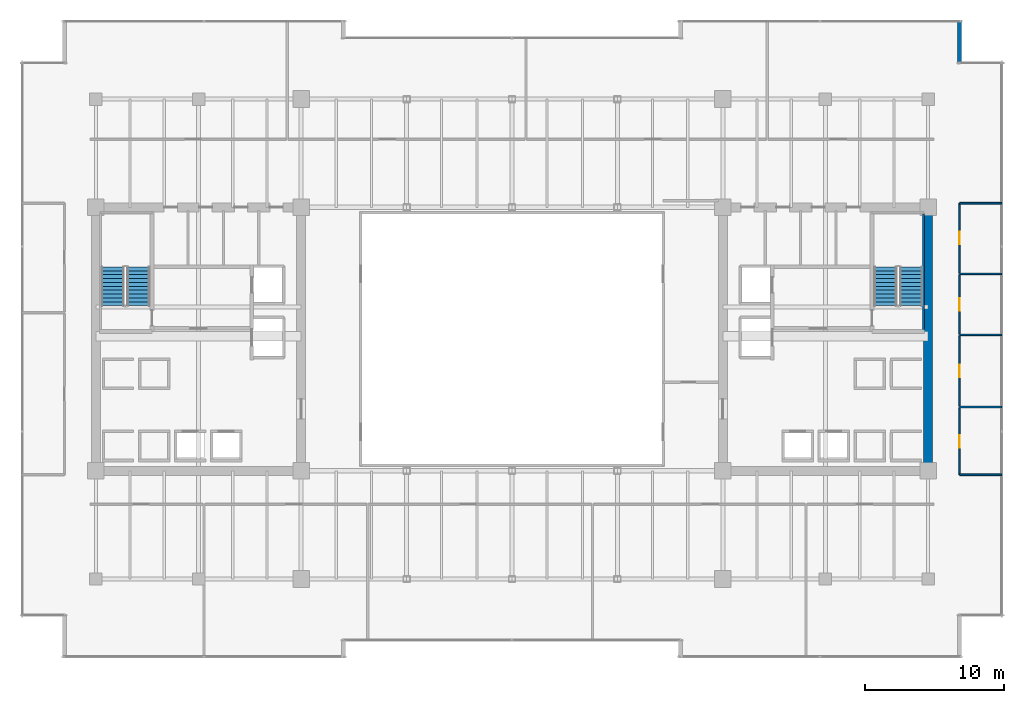
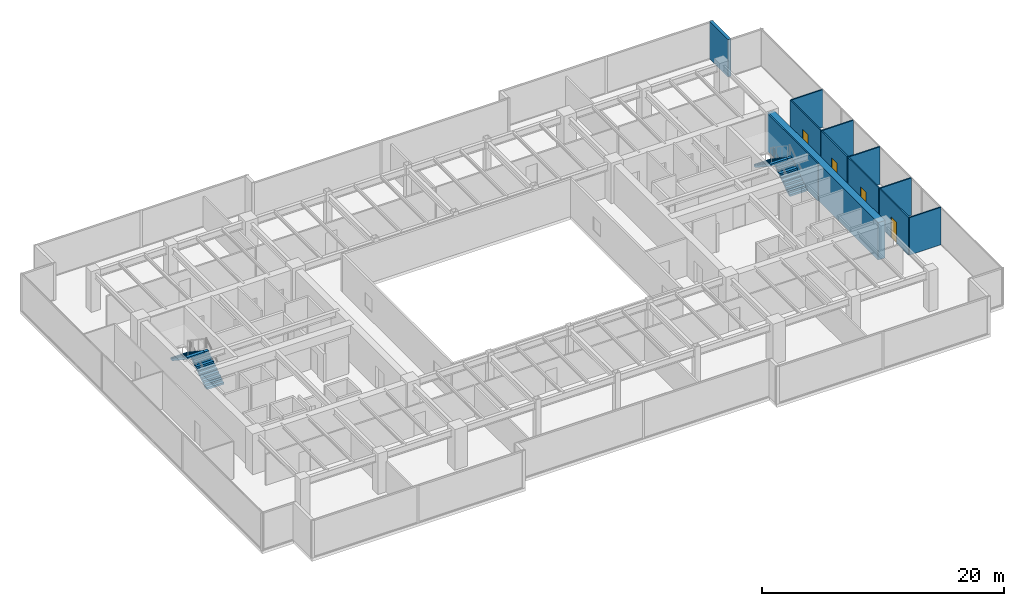
# One storey, part 28 of 30: 12 walls, 4 doors, 4 stair flights, 4 openings, 2 elements without a shape of their own.
"""IFC4 building model written with IfcOpenShell, lengths in metres."""

from ifc_helpers import new_model, si_unit, direction, frame, frame_2d, origin, place, context, subcontext, project, spatial, polyline, rectangle, outline, extrude, source, transform, mapped, material, layer, layer_set, type_object, type_shapes, element, fill, aggregate, save


model = new_model("IFC4")

# Units and contexts
model_context = context("Model", 3, precision=1e-05, world=origin(), true_north=direction((0.0, 1.0)))
body_context = subcontext(model_context, "Body", "Model", "MODEL_VIEW")
ifc_project = project(units=[si_unit("LENGTHUNIT", "METRE"), si_unit("AREAUNIT", "SQUARE_METRE"), si_unit("VOLUMEUNIT", "CUBIC_METRE"), si_unit("PLANEANGLEUNIT", "RADIAN"), si_unit("MASSUNIT", "GRAM", prefix="KILO")], contexts=[model_context])

# Site, building, storey
site_placement = place(None, origin())
site = spatial("IfcSite", under=ifc_project, at=site_placement, CompositionType="ELEMENT")
building_placement = place(site_placement, origin())
building = spatial("IfcBuilding", under=site, at=building_placement, Name="Haelvirn Gate Laboratories", CompositionType="ELEMENT")
storey_placement = place(building_placement, frame((0.0, 0.0, 105.10009765625)))
storey = spatial("IfcBuildingStorey", under=building, at=storey_placement, Name="L25", CompositionType="ELEMENT", Elevation=105.10009765625)

# Walls
ifc_material_1 = material(Name="Thermally-broken bronze aluminium rainscreen & mineral wool", Category="aluminium")
ifc_layer_1 = layer(ifc_material_1, 0.280029296875, Name="EW-TERR-280")
ifc_layer_set_1 = layer_set([ifc_layer_1], Name="Thermally-broken bronze aluminium rainscreen & mineral wool")
wall_type_1 = type_object("IfcWallType", Name="EW-TERR-280", PredefinedType="STANDARD", material=ifc_layer_set_1)
wall_1_placement = place(storey_placement, frame((69.659912109375, 44.2119140625, 0.0), z_axis=(0.0, 0.0, 1.0), x_axis=(0.0, 1.0, 0.0)))
element("IfcWall", 1, at=wall_1_placement, inside=storey, type_object=wall_type_1, Name="L25 Atrium Recess Bronze Return Wall 09", PredefinedType="STANDARD", context=body_context, shape_type="SweptSolid", body=[
    extrude(rectangle(XDim=3.088134765625, YDim=0.280029296875, at=frame_2d((1.5439453125, 0.0))), origin(), (0.0, 0.0, 1.0), 3.789794921875),
])
ifc_material_2 = material(Name="Lightweight acoustic gypsum board partition", Category="gypsum")
ifc_layer_2 = layer(ifc_material_2, 0.1201171875, Name="IW-PART-120")
ifc_layer_set_2 = layer_set([ifc_layer_2], Name="Lightweight acoustic gypsum board partition")
wall_type_2 = type_object("IfcWallType", Name="IW-PART-120", PredefinedType="PARTITIONING", material=ifc_layer_set_2)
for number, where, z_axis, x_axis, name in (
    (2, (69.669921875, 14.514892578125, 0.0), (0.0, 0.0, 1.0), (1.0, 0.0, 0.0), "L25 Interior Wall IW-L25-ECAP-S"),
    (3, (69.669921875, 34.0849609375, 0.0), (0.0, 0.0, 1.0), (1.0, 0.0, 0.0), "L25 Interior Wall IW-L25-ECAP-N"),
):
    element("IfcWall", number, at=place(storey_placement, frame(where, z_axis=z_axis, x_axis=x_axis)), inside=storey, type_object=wall_type_2, Name=name, PredefinedType="PARTITIONING", context=body_context, shape_type="SweptSolid", body=[
        extrude(rectangle(XDim=3.02001953125, YDim=0.1201171875, at=frame_2d((1.510009765625, 0.0))), origin(), (0.0, 0.0, 1.0), 3.789794921875),
    ])

# Wall, opening, door
wall_2_placement = place(storey_placement, frame((69.669921875, 14.514892578125, 0.0), z_axis=(0.0, 0.0, 1.0), x_axis=(0.0, 1.0, 0.0)))
wall_2 = element("IfcWall", 4, at=wall_2_placement, inside=storey, type_object=wall_type_2, Name="L25 Interior Wall IW-L25-EPASS-01", PredefinedType="PARTITIONING", context=body_context, shape_type="SweptSolid", body=[
    extrude(rectangle(XDim=4.8251953125, YDim=0.1201171875, at=frame_2d((2.41259765625, 0.0))), origin(), (0.0, 0.0, 1.0), 3.789794921875),
])
opening_1_placement = place(wall_2_placement, frame((1.96240234375, 0.0, 0.0)))
opening_1 = element("IfcOpeningElement", 5, at=opening_1_placement, cuts=wall_2, Name="Opening D4", PredefinedType="OPENING", context=body_context, shape_type="SweptSolid", body=[
    extrude(rectangle(XDim=0.89990234375, YDim=2.10009765625, at=frame_2d((0.449951171875, 1.050048828125))), frame((0.0, 0.070068359375, 0.0), z_axis=(0.0, -1.0, 0.0), x_axis=(1.0, 0.0, 0.0)), (0.0, 0.0, 1.0), 0.14013671875),
])
ifc_material_3 = material(Name="Glazed aluminium-framed write-up door", Category="aluminium")
door_type = type_object("IfcDoorType", Name="DR-OFF-900", OperationType="NOTDEFINED", PredefinedType="DOOR", material=ifc_material_3)
shared_shape_1 = source(origin(), body_context, "Body", "SweptSolid", [
    extrude(rectangle(XDim=0.89990234375, YDim=2.10009765625, at=frame_2d((0.449951171875, 1.050048828125))), frame((0.0, 0.02490234375, 0.0), z_axis=(0.0, -1.0, 0.0), x_axis=(1.0, 0.0, 0.0)), (0.0, 0.0, 1.0), 0.050048828125),
])
type_shapes(door_type, [shared_shape_1])
door_1_placement = place(opening_1_placement, origin())
door_1 = element("IfcDoor", 6, at=door_1_placement, inside=storey, type_object=door_type, Name="L25 Floor Hydration & Tea Servery Door E1", OperationType="SINGLE_SWING_LEFT", OverallHeight=2.10009765625, OverallWidth=0.89990234375, PredefinedType="DOOR", context=body_context, shape_type="MappedRepresentation", body=[
    mapped(shared_shape_1, transform((0.0, 0.0, 0.0), scale=1.0)),
])
fill(opening_1, door_1)

# Wall
wall_3_placement = place(storey_placement, frame((69.669921875, 19.39990234375, 0.0), z_axis=(0.0, 0.0, 1.0), x_axis=(1.0, 0.0, 0.0)))
element("IfcWall", 7, at=wall_3_placement, inside=storey, type_object=wall_type_2, Name="L25 Interior Wall IW-L25-EDIV-01", PredefinedType="PARTITIONING", context=body_context, shape_type="SweptSolid", body=[
    extrude(rectangle(XDim=3.02001953125, YDim=0.1201171875, at=frame_2d((1.510009765625, 0.0))), origin(), (0.0, 0.0, 1.0), 3.789794921875),
])

# Wall, opening, door
wall_4_placement = place(storey_placement, frame((69.669921875, 19.4599609375, 0.0), z_axis=(0.0, 0.0, 1.0), x_axis=(0.0, 1.0, 0.0)))
wall_4 = element("IfcWall", 8, at=wall_4_placement, inside=storey, type_object=wall_type_2, Name="L25 Interior Wall IW-L25-EPASS-02", PredefinedType="PARTITIONING", context=body_context, shape_type="SweptSolid", body=[
    extrude(rectangle(XDim=5.080078125, YDim=0.1201171875, at=frame_2d((2.5400390625, 0.0))), origin(), (0.0, 0.0, 1.0), 3.789794921875),
])
opening_2_placement = place(wall_4_placement, frame((2.090087890625, 0.0, 0.0)))
opening_2 = element("IfcOpeningElement", 9, at=opening_2_placement, cuts=wall_4, Name="Opening D4", PredefinedType="OPENING", context=body_context, shape_type="SweptSolid", body=[
    extrude(rectangle(XDim=0.89990234375, YDim=2.10009765625, at=frame_2d((0.449951171875, 1.050048828125))), frame((0.0, 0.070068359375, 0.0), z_axis=(0.0, -1.0, 0.0), x_axis=(1.0, 0.0, 0.0)), (0.0, 0.0, 1.0), 0.14013671875),
])
door_2_placement = place(opening_2_placement, origin())
door_2 = element("IfcDoor", 10, at=door_2_placement, inside=storey, type_object=door_type, Name="L25 Genomics Assay Laboratory Door E2", OperationType="SINGLE_SWING_RIGHT", OverallHeight=2.10009765625, OverallWidth=0.89990234375, PredefinedType="DOOR", context=body_context, shape_type="MappedRepresentation", body=[
    mapped(shared_shape_1, transform((0.0, 0.0, 0.0), scale=1.0)),
])
fill(opening_2, door_2)

# Wall
wall_5_placement = place(storey_placement, frame((69.669921875, 24.60009765625, 0.0), z_axis=(0.0, 0.0, 1.0), x_axis=(1.0, 0.0, 0.0)))
element("IfcWall", 11, at=wall_5_placement, inside=storey, type_object=wall_type_2, Name="L25 Interior Wall IW-L25-EDIV-02", PredefinedType="PARTITIONING", context=body_context, shape_type="SweptSolid", body=[
    extrude(rectangle(XDim=3.02001953125, YDim=0.1201171875, at=frame_2d((1.510009765625, 0.0))), origin(), (0.0, 0.0, 1.0), 3.789794921875),
])

# Wall, opening, door
wall_6_placement = place(storey_placement, frame((69.669921875, 24.659912109375, 0.0), z_axis=(0.0, 0.0, 1.0), x_axis=(0.0, 1.0, 0.0)))
wall_6 = element("IfcWall", 12, at=wall_6_placement, inside=storey, type_object=wall_type_2, Name="L25 Interior Wall IW-L25-EPASS-03", PredefinedType="PARTITIONING", context=body_context, shape_type="SweptSolid", body=[
    extrude(rectangle(XDim=4.280029296875, YDim=0.1201171875, at=frame_2d((2.14013671875, 0.0))), origin(), (0.0, 0.0, 1.0), 3.789794921875),
])
opening_3_placement = place(wall_6_placement, frame((1.68994140625, 0.0, 0.0)))
opening_3 = element("IfcOpeningElement", 13, at=opening_3_placement, cuts=wall_6, Name="Opening D4", PredefinedType="OPENING", context=body_context, shape_type="SweptSolid", body=[
    extrude(rectangle(XDim=0.89990234375, YDim=2.10009765625, at=frame_2d((0.449951171875, 1.050048828125))), frame((0.0, 0.070068359375, 0.0), z_axis=(0.0, -1.0, 0.0), x_axis=(1.0, 0.0, 0.0)), (0.0, 0.0, 1.0), 0.14013671875),
])
door_3_placement = place(opening_3_placement, origin())
door_3 = element("IfcDoor", 14, at=door_3_placement, inside=storey, type_object=door_type, Name="L25 Proteomics Mass-Spec Laboratory Door E3", OperationType="SINGLE_SWING_LEFT", OverallHeight=2.10009765625, OverallWidth=0.89990234375, PredefinedType="DOOR", context=body_context, shape_type="MappedRepresentation", body=[
    mapped(shared_shape_1, transform((0.0, 0.0, 0.0), scale=1.0)),
])
fill(opening_3, door_3)

# Wall
wall_7_placement = place(storey_placement, frame((69.669921875, 29.0, 0.0), z_axis=(0.0, 0.0, 1.0), x_axis=(1.0, 0.0, 0.0)))
element("IfcWall", 15, at=wall_7_placement, inside=storey, type_object=wall_type_2, Name="L25 Interior Wall IW-L25-EDIV-03", PredefinedType="PARTITIONING", context=body_context, shape_type="SweptSolid", body=[
    extrude(rectangle(XDim=3.02001953125, YDim=0.1201171875, at=frame_2d((1.510009765625, 0.0))), origin(), (0.0, 0.0, 1.0), 3.789794921875),
])

# Wall, opening, door
wall_8_placement = place(storey_placement, frame((69.669921875, 29.06005859375, 0.0), z_axis=(0.0, 0.0, 1.0), x_axis=(0.0, 1.0, 0.0)))
wall_8 = element("IfcWall", 16, at=wall_8_placement, inside=storey, type_object=wall_type_2, Name="L25 Interior Wall IW-L25-EPASS-04", PredefinedType="PARTITIONING", context=body_context, shape_type="SweptSolid", body=[
    extrude(rectangle(XDim=5.02490234375, YDim=0.1201171875, at=frame_2d((2.512451171875, 0.0))), origin(), (0.0, 0.0, 1.0), 3.789794921875),
])
opening_4_placement = place(wall_8_placement, frame((2.0625, 0.0, 0.0)))
opening_4 = element("IfcOpeningElement", 17, at=opening_4_placement, cuts=wall_8, Name="Opening D4", PredefinedType="OPENING", context=body_context, shape_type="SweptSolid", body=[
    extrude(rectangle(XDim=0.89990234375, YDim=2.10009765625, at=frame_2d((0.449951171875, 1.050048828125))), frame((0.0, 0.070068359375, 0.0), z_axis=(0.0, -1.0, 0.0), x_axis=(1.0, 0.0, 0.0)), (0.0, 0.0, 1.0), 0.14013671875),
])
door_4_placement = place(opening_4_placement, origin())
door_4 = element("IfcDoor", 18, at=door_4_placement, inside=storey, type_object=door_type, Name="L25 Chemical Synthesis Laboratory Door E4", OperationType="SINGLE_SWING_RIGHT", OverallHeight=2.10009765625, OverallWidth=0.89990234375, PredefinedType="DOOR", context=body_context, shape_type="MappedRepresentation", body=[
    mapped(shared_shape_1, transform((0.0, 0.0, 0.0), scale=1.0)),
])
fill(opening_4, door_4)

# Walls
ifc_material_4 = material(Name="Concrete C60/75", Category="concrete")
ifc_layer_3 = layer(ifc_material_4, 0.64990234375, Name="SW-CORE-650")
ifc_layer_set_3 = layer_set([ifc_layer_3], Name="Concrete C60/75")
wall_type_3 = type_object("IfcWallType", Name="SW-CORE-650", PredefinedType="SHEAR", material=ifc_layer_set_3)
wall_9_placement = place(storey_placement, frame((67.39990234375, 15.125, 0.0), z_axis=(0.0, 0.0, 1.0), x_axis=(0.0, 1.0, 0.0)))
element("IfcWall", 19, at=wall_9_placement, inside=storey, type_object=wall_type_3, Name="L25 E Core Shear Wall E", PredefinedType="SHEAR", context=body_context, shape_type="SweptSolid", body=[
    extrude(rectangle(XDim=18.35009765625, YDim=0.64990234375, at=frame_2d((9.175048828125, 0.0))), origin(), (0.0, 0.0, 1.0), 3.789794921875),
])
ifc_material_5 = material(Name="Concrete C50/60", Category="concrete")
ifc_layer_4 = layer(ifc_material_5, 0.1201171875, Name="SW-LINER-120")
ifc_layer_set_4 = layer_set([ifc_layer_4], Name="Concrete C50/60")
wall_type_4 = type_object("IfcWallType", Name="SW-LINER-120", PredefinedType="SOLIDWALL", material=ifc_layer_set_4)
wall_10_placement = place(storey_placement, frame((67.070068359375, 25.0, 0.0), z_axis=(0.0, 0.0, 1.0), x_axis=(0.0, 1.0, 0.0)))
element("IfcWall", 20, at=wall_10_placement, inside=storey, type_object=wall_type_4, Name="L25 E Core Stair Shaft Liner Wall OUT", PredefinedType="SOLIDWALL", context=body_context, shape_type="SweptSolid", body=[
    extrude(rectangle(XDim=8.320068359375, YDim=0.1201171875, at=frame_2d((4.16015625, 0.0))), origin(), (0.0, 0.0, 1.0), 3.789794921875),
])

# Stair, stair flights
ifc_material_6 = material(Name="Concrete C40/50", Category="concrete")
stair_type = type_object("IfcStairType", Name="ST-DOG-1650-R22", PredefinedType="HALF_TURN_STAIR", material=ifc_material_6)
stair_1_placement = place(storey_placement, origin())
stair_1 = element("IfcStair", 21, at=stair_1_placement, inside=storey, type_object=stair_type, Name="L25 Escape Stair ST1", PredefinedType="HALF_TURN_STAIR")
stair_flight_type = type_object("IfcStairFlightType", Name="STF-1650-R11", PredefinedType="STRAIGHT", material=ifc_material_6)
shared_shape_2 = source(origin(), body_context, "Body", "SweptSolid", [
    extrude(outline(polyline([(0.0, 0.0), (0.0, 0.186279296875), (0.280029296875, 0.186279296875), (0.280029296875, 0.372802734375), (0.56005859375, 0.372802734375), (0.56005859375, 0.55908203125), (0.840087890625, 0.55908203125), (0.840087890625, 0.745361328125), (1.1201171875, 0.745361328125), (1.1201171875, 0.931884765625), (1.39990234375, 0.931884765625), (1.39990234375, 1.1181640625), (1.679931640625, 1.1181640625), (1.679931640625, 1.304443359375), (1.9599609375, 1.304443359375), (1.9599609375, 1.490966796875), (2.239990234375, 1.490966796875), (2.239990234375, 1.67724609375), (2.52001953125, 1.67724609375), (2.52001953125, 1.863525390625), (2.800048828125, 1.863525390625), (2.800048828125, 2.050048828125), (2.800048828125, 1.671630859375), (0.28857421875, 0.0), (0.0, 0.0)])), frame((0.0, 0.824951171875, 0.0), z_axis=(0.0, -1.0, 0.0), x_axis=(1.0, 0.0, 0.0)), (0.0, 0.0, 1.0), 1.64990234375),
])
type_shapes(stair_flight_type, [shared_shape_2])
stair_flight_1_placement = place(storey_placement, frame((10.47509765625, 26.699951171875, 0.0), z_axis=(0.0, 0.0, 1.0), x_axis=(0.0, 1.0, 0.0)))
stair_flight_1 = element("IfcStairFlight", 22, at=stair_flight_1_placement, type_object=stair_flight_type, Name="ST1 flight 1", NumberOfRisers=11, NumberOfTreads=10, PredefinedType="STRAIGHT", RiserHeight=0.186363636, TreadLength=0.28, context=body_context, shape_type="MappedRepresentation", body=[
    mapped(shared_shape_2, transform((0.0, 0.0, 0.0), scale=1.0)),
])
stair_flight_2_placement = place(storey_placement, frame((8.625, 29.5, 2.0498046875), z_axis=(0.0, 0.0, 1.0), x_axis=(0.0, -1.0, 0.0)))
stair_flight_2 = element("IfcStairFlight", 23, at=stair_flight_2_placement, type_object=stair_flight_type, Name="ST1 flight 2", NumberOfRisers=11, NumberOfTreads=10, PredefinedType="STRAIGHT", RiserHeight=0.186363636, TreadLength=0.28, context=body_context, shape_type="MappedRepresentation", body=[
    mapped(shared_shape_2, transform((0.0, 0.0, 0.0), scale=1.0)),
])
aggregate(stair_1, [stair_flight_1, stair_flight_2])

stair_2_placement = place(storey_placement, origin())
stair_2 = element("IfcStair", 24, at=stair_2_placement, inside=storey, type_object=stair_type, Name="L25 Escape Stair ST2", PredefinedType="HALF_TURN_STAIR")
stair_flight_3_placement = place(storey_placement, frame((66.175048828125, 26.699951171875, 0.0), z_axis=(0.0, 0.0, 1.0), x_axis=(0.0, 1.0, 0.0)))
stair_flight_3 = element("IfcStairFlight", 25, at=stair_flight_3_placement, type_object=stair_flight_type, Name="ST2 flight 1", NumberOfRisers=11, NumberOfTreads=10, PredefinedType="STRAIGHT", RiserHeight=0.186363636, TreadLength=0.28, context=body_context, shape_type="MappedRepresentation", body=[
    mapped(shared_shape_2, transform((0.0, 0.0, 0.0), scale=1.0)),
])
stair_flight_4_placement = place(storey_placement, frame((64.324951171875, 29.5, 2.0498046875), z_axis=(0.0, 0.0, 1.0), x_axis=(0.0, -1.0, 0.0)))
stair_flight_4 = element("IfcStairFlight", 26, at=stair_flight_4_placement, type_object=stair_flight_type, Name="ST2 flight 2", NumberOfRisers=11, NumberOfTreads=10, PredefinedType="STRAIGHT", RiserHeight=0.186363636, TreadLength=0.28, context=body_context, shape_type="MappedRepresentation", body=[
    mapped(shared_shape_2, transform((0.0, 0.0, 0.0), scale=1.0)),
])
aggregate(stair_2, [stair_flight_3, stair_flight_4])

save(model, "model.ifc")
